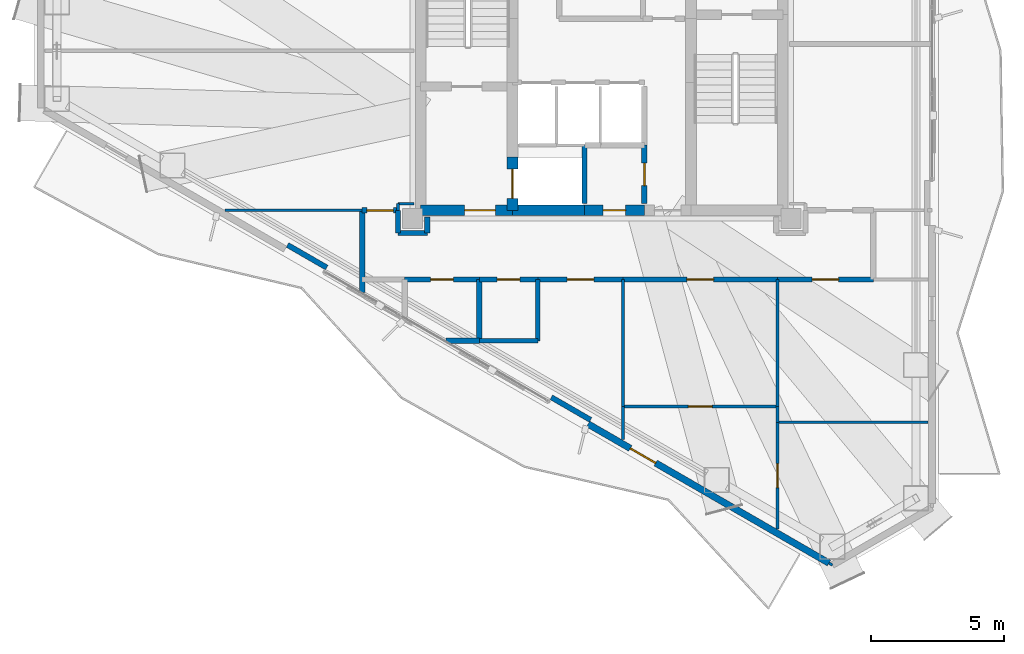
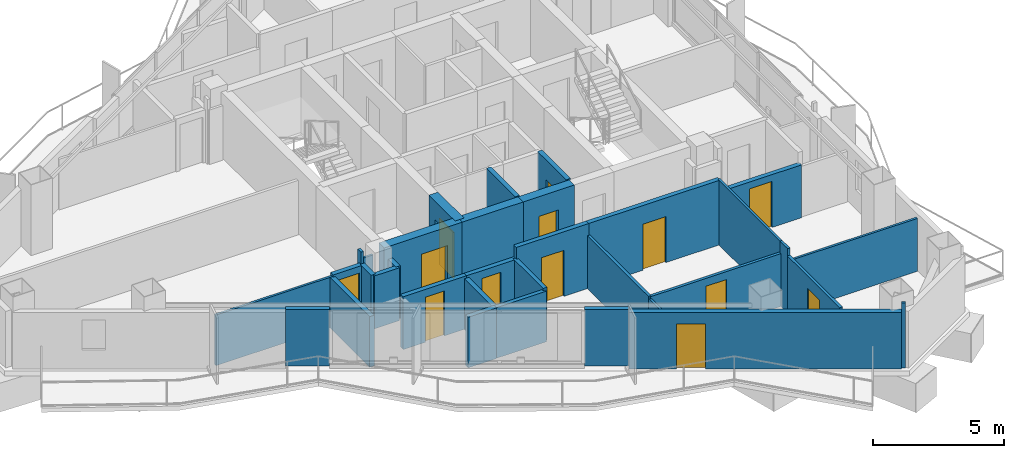
# One storey, part 17 of 22: 34 walls, 13 doors, 13 openings.
"""IFC4 building model written with IfcOpenShell, lengths in metres."""

from ifc_helpers import new_model, si_unit, direction, frame, frame_2d, origin, place, context, subcontext, project, spatial, rectangle, extrude, material, layer, layer_set, type_object, element, fill, save


model = new_model("IFC4")

# Units and contexts
model_context = context("Model", 3, precision=1e-05, world=origin(), true_north=direction((0.0, 1.0)))
body_context = subcontext(model_context, "Body", "Model", "MODEL_VIEW")
ifc_project = project(units=[si_unit("LENGTHUNIT", "METRE"), si_unit("AREAUNIT", "SQUARE_METRE"), si_unit("VOLUMEUNIT", "CUBIC_METRE"), si_unit("PLANEANGLEUNIT", "RADIAN"), si_unit("MASSUNIT", "GRAM", prefix="KILO")], contexts=[model_context])

# Site, building, storey
site_placement = place(None, origin())
site = spatial("IfcSite", under=ifc_project, at=site_placement, CompositionType="ELEMENT")
building_placement = place(site_placement, origin())
building = spatial("IfcBuilding", under=site, at=building_placement, Name="Mersakhor Tower and Convention Hall", CompositionType="ELEMENT")
storey_placement = place(building_placement, frame((0.0, 0.0, 167.39990234375)))
storey = spatial("IfcBuildingStorey", under=building, at=storey_placement, Name="L46", CompositionType="ELEMENT", Elevation=167.39990234375)

# Wall, opening, door
ifc_material_1 = material(Name="Precast concrete C40/50", Category="concrete")
ifc_layer_1 = layer(ifc_material_1, 0.25)
ifc_layer_set_1 = layer_set([ifc_layer_1], Name="Precast concrete C40/50")
wall_type_1 = type_object("IfcWallType", Name="WL-EXT-250", PredefinedType="SOLIDWALL", material=ifc_layer_set_1)
wall_1_placement = place(storey_placement, frame((37.532470703125, 7.501220703125, 0.0), z_axis=(0.0, 0.0, 1.0), x_axis=(-0.866027516296, 0.499996341005, 0.0)))
wall_1 = element("IfcWall", 1, at=wall_1_placement, inside=storey, type_object=wall_type_1, Name="L46 Exterior Facade Wall F3-B1", PredefinedType="SOLIDWALL", context=body_context, shape_type="SweptSolid", body=[
    extrude(rectangle(XDim=10.4423828125, YDim=0.25, at=frame_2d((5.22119140625, 0.0))), origin(), (0.0, 0.0, 1.0), 2.64013671875),
])
opening_1_placement = place(wall_1_placement, frame((7.513916015625, 0.0, 0.0)))
opening_1 = element("IfcOpeningElement", 2, at=opening_1_placement, cuts=wall_1, Name="Opening BD-02", PredefinedType="OPENING", context=body_context, shape_type="SweptSolid", body=[
    extrude(rectangle(XDim=1.10009765625, YDim=2.10009765625, at=frame_2d((0.550048828125, 1.050048828125))), frame((0.0, 0.135009765625, 0.0), z_axis=(0.0, -1.0, 0.0), x_axis=(1.0, 0.0, 0.0)), (0.0, 0.0, 1.0), 0.27001953125),
])
ifc_material_2 = material(Name="Thermally broken dark aluminium and safety glass", Category="aluminium")
door_type_1 = type_object("IfcDoorType", Name="DR-BAL-110x210", OperationType="NOTDEFINED", PredefinedType="DOOR", material=ifc_material_2)
door_1_placement = place(opening_1_placement, origin())
door_1 = element("IfcDoor", 3, at=door_1_placement, inside=storey, type_object=door_type_1, Name="L46 Balcony Terrace Door F3-B1", OperationType="SINGLE_SWING_RIGHT", OverallHeight=2.10009765625, OverallWidth=1.10009765625, PredefinedType="DOOR", context=body_context, shape_type="SweptSolid", body=[
    extrude(rectangle(XDim=1.10009765625, YDim=2.10009765625, at=frame_2d((0.550048828125, 1.050048828125))), frame((0.0, 0.02490234375, 0.0), z_axis=(0.0, -1.0, 0.0), x_axis=(1.0, 0.0, 0.0)), (0.0, 0.0, 1.0), 0.050048828125),
])
fill(opening_1, door_1)

# Walls
ifc_material_3 = material(Name="Precast concrete C40/50", Category="concrete")
ifc_layer_2 = layer(ifc_material_3, 0.199951171875)
ifc_layer_set_2 = layer_set([ifc_layer_2], Name="Precast concrete C40/50")
wall_type_2 = type_object("IfcWallType", Name="WL-PAR-200", PredefinedType="PARAPET", material=ifc_layer_set_2)
for number, where, z_axis, x_axis, name in (
    (4, (28.5791015625, 12.87841796875, 0.0), (0.0, 0.0, 1.0), (-0.866087547558, 0.499892348375, 0.0), "L46 Column Pier Cladding Wall F3-C1"),
    (5, (18.66943359375, 18.599609375, 0.0), (0.0, 0.0, 1.0), (-0.86605165483, 0.499954529098, 0.0), "L46 Column Pier Cladding Wall F3-C2"),
):
    element("IfcWall", number, at=place(storey_placement, frame(where, z_axis=z_axis, x_axis=x_axis)), inside=storey, type_object=wall_type_2, Name=name, PredefinedType="PARAPET", context=body_context, shape_type="SweptSolid", body=[
        extrude(rectangle(XDim=1.699951171875, YDim=0.199951171875, at=frame_2d((0.85009765625, 0.0))), origin(), (0.0, 0.0, 1.0), 2.64013671875),
    ])
ifc_material_4 = material(Name="Moisture-resistant acoustic drywall studwork", Category="other")
ifc_layer_3 = layer(ifc_material_4, 0.175048828125)
ifc_layer_set_3 = layer_set([ifc_layer_3], Name="Moisture-resistant acoustic drywall studwork")
wall_type_3 = type_object("IfcWallType", Name="WL-PLM-175", PredefinedType="PLUMBINGWALL", material=ifc_layer_set_3)
wall_2_placement = place(storey_placement, frame((26.60009765625, 15.85009765625, 0.0), z_axis=(0.0, 0.0, 1.0), x_axis=(-1.0, 0.0, 0.0)))
element("IfcWall", 6, at=wall_2_placement, inside=storey, type_object=wall_type_3, Name="L46 Interior Partition Wall P-052", PredefinedType="PLUMBINGWALL", context=body_context, shape_type="SweptSolid", body=[
    extrude(rectangle(XDim=2.2001953125, YDim=0.175048828125, at=frame_2d((1.10009765625, 0.0))), origin(), (0.0, 0.0, 1.0), 2.364990234375),
])
wall_3_placement = place(storey_placement, frame((26.60009765625, 18.14990234375, 0.0), z_axis=(0.0, 0.0, 1.0), x_axis=(0.0, -1.0, 0.0)))
element("IfcWall", 7, at=wall_3_placement, inside=storey, type_object=wall_type_3, Name="L46 Interior Partition Wall P-054", PredefinedType="PLUMBINGWALL", context=body_context, shape_type="SweptSolid", body=[
    extrude(rectangle(XDim=2.2998046875, YDim=0.175048828125, at=frame_2d((1.14990234375, 0.0))), origin(), (0.0, 0.0, 1.0), 2.468505859375),
])
ifc_material_5 = material(Name="Lightweight gypsum partition", Category="other")
ifc_layer_4 = layer(ifc_material_5, 0.10009765625)
ifc_layer_set_4 = layer_set([ifc_layer_4], Name="Lightweight gypsum partition")
wall_type_4 = type_object("IfcWallType", Name="WL-PRT-100", PredefinedType="PARTITIONING", material=ifc_layer_set_4)
wall_4_placement = place(storey_placement, frame((35.60009765625, 13.3798828125, 0.0), z_axis=(0.0, 0.0, 1.0), x_axis=(0.0, -1.0, 0.0)))
element("IfcWall", 8, at=wall_4_placement, inside=storey, type_object=wall_type_4, Name="L46 Interior Partition Wall P-056", PredefinedType="PARTITIONING", context=body_context, shape_type="SweptSolid", body=[
    extrude(rectangle(XDim=0.58984375, YDim=0.10009765625, at=frame_2d((0.294921875, 0.0))), origin(), (0.0, 0.0, 1.0), 3.02001953125),
])
wall_5_placement = place(storey_placement, frame((29.800048828125, 12.137451171875, 0.0), z_axis=(0.0, 0.0, 1.0), x_axis=(0.0, 1.0, 0.0)))
element("IfcWall", 9, at=wall_5_placement, inside=storey, type_object=wall_type_4, Name="L46 Interior Partition Wall P-058", PredefinedType="PARTITIONING", context=body_context, shape_type="SweptSolid", body=[
    extrude(rectangle(XDim=1.242431640625, YDim=0.10009765625, at=frame_2d((0.62109375, 0.0))), origin(), (0.0, 0.0, 1.0), 2.364990234375),
])
wall_6_placement = place(storey_placement, frame((35.60009765625, 18.14990234375, 0.0), z_axis=(0.0, 0.0, 1.0), x_axis=(0.0, -1.0, 0.0)))
element("IfcWall", 10, at=wall_6_placement, inside=storey, type_object=wall_type_4, Name="L46 Interior Partition Wall P-060", PredefinedType="PARTITIONING", context=body_context, shape_type="SweptSolid", body=[
    extrude(rectangle(XDim=4.77001953125, YDim=0.10009765625, at=frame_2d((2.385009765625, 0.0))), origin(), (0.0, 0.0, 1.0), 3.02001953125),
])
wall_7_placement = place(storey_placement, frame((35.60009765625, 12.7900390625, 0.0), z_axis=(0.0, 0.0, 1.0), x_axis=(1.0, 0.0, 0.0)))
element("IfcWall", 11, at=wall_7_placement, inside=storey, type_object=wall_type_4, Name="L46 Interior Partition Wall P-062", PredefinedType="PARTITIONING", context=body_context, shape_type="SweptSolid", body=[
    extrude(rectangle(XDim=5.65478515625, YDim=0.10009765625, at=frame_2d((2.827392578125, 0.0))), origin(), (0.0, 0.0, 1.0), 2.468505859375),
])
wall_8_placement = place(storey_placement, frame((37.662109375, 7.426025390625, 0.0), z_axis=(0.0, 0.0, 1.0), x_axis=(-0.866131372301, 0.499816412211, 0.0)))
element("IfcWall", 12, at=wall_8_placement, inside=storey, type_object=wall_type_4, Name="L46 Interior Partition Wall P-064", PredefinedType="PARTITIONING", context=body_context, shape_type="SweptSolid", body=[
    extrude(rectangle(XDim=0.14990234375, YDim=0.10009765625, at=frame_2d((0.074951171875, 0.0))), origin(), (0.0, 0.0, 1.0), 3.02001953125),
])
wall_9_placement = place(storey_placement, frame((21.949951171875, 21.0, 0.0), z_axis=(0.0, 0.0, 1.0), x_axis=(-1.0, 0.0, 0.0)))
element("IfcWall", 13, at=wall_9_placement, inside=storey, type_object=wall_type_4, Name="L46 Interior Partition Wall P-070", PredefinedType="PARTITIONING", context=body_context, shape_type="SweptSolid", body=[
    extrude(rectangle(XDim=0.599853515625, YDim=0.10009765625, at=frame_2d((0.2998046875, 0.0))), origin(), (0.0, 0.0, 1.0), 2.545166015625),
])
wall_10_placement = place(storey_placement, frame((20.0, 20.75, 0.0), z_axis=(0.0, 0.0, 1.0), x_axis=(-1.0, 0.0, 0.0)))
element("IfcWall", 14, at=wall_10_placement, inside=storey, type_object=wall_type_4, Name="L46 Interior Partition Wall P-072", PredefinedType="PARTITIONING", context=body_context, shape_type="SweptSolid", body=[
    extrude(rectangle(XDim=5.14453125, YDim=0.10009765625, at=frame_2d((2.572265625, 0.0))), origin(), (0.0, 0.0, 1.0), 2.364990234375),
])

# Wall, opening, door
ifc_material_6 = material(Name="Gypsum board acoustic partition", Category="other")
ifc_layer_5 = layer(ifc_material_6, 0.125)
ifc_layer_set_5 = layer_set([ifc_layer_5], Name="Gypsum board acoustic partition")
wall_type_5 = type_object("IfcWallType", Name="WL-PRT-125", PredefinedType="PARTITIONING", material=ifc_layer_set_5)
wall_11_placement = place(storey_placement, frame((35.60009765625, 12.7900390625, 0.0), z_axis=(0.0, 0.0, 1.0), x_axis=(0.0, -1.0, 0.0)))
wall_11 = element("IfcWall", 15, at=wall_11_placement, inside=storey, type_object=wall_type_5, Name="L46 Interior Partition Wall P-057", PredefinedType="PARTITIONING", context=body_context, shape_type="SweptSolid", body=[
    extrude(rectangle(XDim=4.001220703125, YDim=0.125, at=frame_2d((2.00048828125, 0.0))), origin(), (0.0, 0.0, 1.0), 2.6845703125),
])
opening_2_placement = place(wall_11_placement, frame((1.550537109375, 0.0, 0.0)))
opening_2 = element("IfcOpeningElement", 16, at=opening_2_placement, cuts=wall_11, Name="Opening WD-01", PredefinedType="OPENING", context=body_context, shape_type="SweptSolid", body=[
    extrude(rectangle(XDim=0.89990234375, YDim=2.10009765625, at=frame_2d((0.449951171875, 1.050048828125))), frame((0.0, 0.072509765625, 0.0), z_axis=(0.0, -1.0, 0.0), x_axis=(1.0, 0.0, 0.0)), (0.0, 0.0, 1.0), 0.14501953125),
])
ifc_material_7 = material(Name="Solid-core hardwood leaf in painted steel frame", Category="steel")
door_type_2 = type_object("IfcDoorType", Name="DR-INT-WET-090x210", OperationType="NOTDEFINED", PredefinedType="DOOR", material=ifc_material_7)
door_2_placement = place(opening_2_placement, origin())
door_2 = element("IfcDoor", 17, at=door_2_placement, inside=storey, type_object=door_type_2, Name="L46 L46 South-East Residents Study Room to L46 South-East Residents Study Room Annex Door", OperationType="SINGLE_SWING_LEFT", OverallHeight=2.10009765625, OverallWidth=0.89990234375, PredefinedType="DOOR", context=body_context, shape_type="SweptSolid", body=[
    extrude(rectangle(XDim=0.89990234375, YDim=2.10009765625, at=frame_2d((0.449951171875, 1.050048828125))), frame((0.0, 0.02490234375, 0.0), z_axis=(0.0, -1.0, 0.0), x_axis=(1.0, 0.0, 0.0)), (0.0, 0.0, 1.0), 0.050048828125),
])
fill(opening_2, door_2)

wall_12_placement = place(storey_placement, frame((29.800048828125, 13.3798828125, 0.0), z_axis=(0.0, 0.0, 1.0), x_axis=(1.0, 0.0, 0.0)))
wall_12 = element("IfcWall", 18, at=wall_12_placement, inside=storey, type_object=wall_type_5, Name="L46 Interior Partition Wall P-059", PredefinedType="PARTITIONING", context=body_context, shape_type="SweptSolid", body=[
    extrude(rectangle(XDim=5.800048828125, YDim=0.125, at=frame_2d((2.89990234375, 0.0))), origin(), (0.0, 0.0, 1.0), 2.468505859375),
])
opening_3_placement = place(wall_12_placement, frame((2.449951171875, 0.0, 0.0)))
opening_3 = element("IfcOpeningElement", 19, at=opening_3_placement, cuts=wall_12, Name="Opening WD-01", PredefinedType="OPENING", context=body_context, shape_type="SweptSolid", body=[
    extrude(rectangle(XDim=0.89990234375, YDim=2.10009765625, at=frame_2d((0.449951171875, 1.050048828125))), frame((0.0, 0.072509765625, 0.0), z_axis=(0.0, -1.0, 0.0), x_axis=(1.0, 0.0, 0.0)), (0.0, 0.0, 1.0), 0.14501953125),
])
door_3_placement = place(opening_3_placement, origin())
door_3 = element("IfcDoor", 20, at=door_3_placement, inside=storey, type_object=door_type_2, Name="L46 L46 South-East Residents Study Room to L46 South-East Residents Study Room Annex Door", OperationType="SINGLE_SWING_RIGHT", OverallHeight=2.10009765625, OverallWidth=0.89990234375, PredefinedType="DOOR", context=body_context, shape_type="SweptSolid", body=[
    extrude(rectangle(XDim=0.89990234375, YDim=2.10009765625, at=frame_2d((0.449951171875, 1.050048828125))), frame((0.0, 0.02490234375, 0.0), z_axis=(0.0, -1.0, 0.0), x_axis=(1.0, 0.0, 0.0)), (0.0, 0.0, 1.0), 0.050048828125),
])
fill(opening_3, door_3)

# Walls
wall_13_placement = place(storey_placement, frame((29.800048828125, 13.3798828125, 0.0), z_axis=(0.0, 0.0, 1.0), x_axis=(0.0, 1.0, 0.0)))
element("IfcWall", 21, at=wall_13_placement, inside=storey, type_object=wall_type_5, Name="L46 Interior Partition Wall P-061", PredefinedType="PARTITIONING", context=body_context, shape_type="SweptSolid", body=[
    extrude(rectangle(XDim=4.77001953125, YDim=0.125, at=frame_2d((2.385009765625, 0.0))), origin(), (0.0, 0.0, 1.0), 2.468505859375),
])
wall_14_placement = place(storey_placement, frame((21.35009765625, 21.0, 0.0), z_axis=(0.0, 0.0, 1.0), x_axis=(0.0, -1.0, 0.0)))
element("IfcWall", 22, at=wall_14_placement, inside=storey, type_object=wall_type_5, Name="L46 Interior Partition Wall P-071", PredefinedType="PARTITIONING", context=body_context, shape_type="SweptSolid", body=[
    extrude(rectangle(XDim=0.25, YDim=0.125, at=frame_2d((0.125, 0.0))), origin(), (0.0, 0.0, 1.0), 3.02001953125),
])
ifc_material_8 = material(Name="Acoustic concrete blockwork and gypsum board", Category="masonry")
ifc_layer_6 = layer(ifc_material_8, 0.199951171875)
ifc_layer_set_6 = layer_set([ifc_layer_6], Name="Acoustic concrete blockwork and gypsum board")
wall_type_6 = type_object("IfcWallType", Name="WL-PRT-200", PredefinedType="PARTITIONING", material=ifc_layer_set_6)
wall_15_placement = place(storey_placement, frame((28.35009765625, 23.199951171875, 0.0), z_axis=(0.0, 0.0, 1.0), x_axis=(0.0, -1.0, 0.0)))
element("IfcWall", 23, at=wall_15_placement, inside=storey, type_object=wall_type_6, Name="L46 Interior Partition Wall P-003", PredefinedType="PARTITIONING", context=body_context, shape_type="SweptSolid", body=[
    extrude(rectangle(XDim=2.199951171875, YDim=0.199951171875, at=frame_2d((1.10009765625, 0.0))), origin(), (0.0, 0.0, 1.0), 3.02001953125),
])

# Wall, opening, door
wall_16_placement = place(storey_placement, frame((30.60009765625, 21.0, 0.0), z_axis=(0.0, 0.0, 1.0), x_axis=(0.0, 1.0, 0.0)))
wall_16 = element("IfcWall", 24, at=wall_16_placement, inside=storey, type_object=wall_type_6, Name="L46 Interior Partition Wall P-012", PredefinedType="PARTITIONING", context=body_context, shape_type="SweptSolid", body=[
    extrude(rectangle(XDim=2.199951171875, YDim=0.199951171875, at=frame_2d((1.10009765625, 0.0))), origin(), (0.0, 0.0, 1.0), 3.02001953125),
])
opening_4_placement = place(wall_16_placement, frame((0.675048828125, 0.0, 0.0)))
opening_4 = element("IfcOpeningElement", 25, at=opening_4_placement, cuts=wall_16, Name="Opening SVD-01", PredefinedType="OPENING", context=body_context, shape_type="SweptSolid", body=[
    extrude(rectangle(XDim=0.85009765625, YDim=2.10009765625, at=frame_2d((0.425048828125, 1.050048828125))), frame((0.0, 0.10986328125, 0.0), z_axis=(0.0, -1.0, 0.0), x_axis=(1.0, 0.0, 0.0)), (0.0, 0.0, 1.0), 0.219970703125),
])
ifc_material_9 = material(Name="Fire-rated hardwood leaf and painted steel frame", Category="steel")
door_type_3 = type_object("IfcDoorType", Name="DR-INT-SVC-085x210", OperationType="NOTDEFINED", PredefinedType="DOOR", material=ifc_material_9)
door_4_placement = place(opening_4_placement, origin())
door_4 = element("IfcDoor", 26, at=door_4_placement, inside=storey, type_object=door_type_3, Name="L46 Central Passenger Lift Lobby to Electrical Distribution Room Door", OperationType="SINGLE_SWING_RIGHT", OverallHeight=2.10009765625, OverallWidth=0.85009765625, PredefinedType="DOOR", context=body_context, shape_type="SweptSolid", body=[
    extrude(rectangle(XDim=0.85009765625, YDim=2.10009765625, at=frame_2d((0.425048828125, 1.050048828125))), frame((0.0, 0.02490234375, 0.0), z_axis=(0.0, -1.0, 0.0), x_axis=(1.0, 0.0, 0.0)), (0.0, 0.0, 1.0), 0.050048828125),
])
fill(opening_4, door_4)

# Wall
wall_17_placement = place(storey_placement, frame((22.449951171875, 19.89990234375, 0.0), z_axis=(0.0, 0.0, 1.0), x_axis=(0.0, 1.0, 0.0)))
element("IfcWall", 27, at=wall_17_placement, inside=storey, type_object=wall_type_6, Name="L46 Interior Partition Wall P-031", PredefinedType="PARTITIONING", context=body_context, shape_type="SweptSolid", body=[
    extrude(rectangle(XDim=0.60009765625, YDim=0.199951171875, at=frame_2d((0.300048828125, 0.0))), origin(), (0.0, 0.0, 1.0), 2.468505859375),
])

# Wall, opening, door
wall_18_placement = place(storey_placement, frame((39.199951171875, 18.14990234375, 0.0), z_axis=(0.0, 0.0, 1.0), x_axis=(-1.0, 0.0, 0.0)))
wall_18 = element("IfcWall", 28, at=wall_18_placement, inside=storey, type_object=wall_type_6, Name="L46 Interior Partition Wall P-037", PredefinedType="PARTITIONING", context=body_context, shape_type="SweptSolid", body=[
    extrude(rectangle(XDim=3.599853515625, YDim=0.199951171875, at=frame_2d((1.7998046875, 0.0))), origin(), (0.0, 0.0, 1.0), 2.468505859375),
])
opening_5_placement = place(wall_18_placement, frame((1.300048828125, 0.0, 0.0)))
opening_5 = element("IfcOpeningElement", 29, at=opening_5_placement, cuts=wall_18, Name="Opening FD-01", PredefinedType="OPENING", context=body_context, shape_type="SweptSolid", body=[
    extrude(rectangle(XDim=1.0, YDim=2.14990234375, at=frame_2d((0.5, 1.074951171875))), frame((0.0, 0.10986328125, 0.0), z_axis=(0.0, -1.0, 0.0), x_axis=(1.0, 0.0, 0.0)), (0.0, 0.0, 1.0), 0.219970703125),
])
ifc_material_10 = material(Name="Fire-rated hardwood leaf and painted steel frame", Category="steel")
door_type_4 = type_object("IfcDoorType", Name="DR-INT-FLT-100x215", OperationType="NOTDEFINED", PredefinedType="DOOR", material=ifc_material_10)
door_5_placement = place(opening_5_placement, origin())
door_5 = element("IfcDoor", 30, at=door_5_placement, inside=storey, type_object=door_type_4, Name="L46 Residential South Gallery Corridor to L46 South-East Residents Study Room Annex Annex Door", OperationType="SINGLE_SWING_LEFT", OverallHeight=2.14990234375, OverallWidth=1.0, PredefinedType="DOOR", context=body_context, shape_type="SweptSolid", body=[
    extrude(rectangle(XDim=1.0, YDim=2.14990234375, at=frame_2d((0.5, 1.074951171875))), frame((0.0, 0.02490234375, 0.0), z_axis=(0.0, -1.0, 0.0), x_axis=(1.0, 0.0, 0.0)), (0.0, 0.0, 1.0), 0.050048828125),
])
fill(opening_5, door_5)

wall_19_placement = place(storey_placement, frame((35.60009765625, 18.14990234375, 0.0), z_axis=(0.0, 0.0, 1.0), x_axis=(-1.0, 0.0, 0.0)))
wall_19 = element("IfcWall", 31, at=wall_19_placement, inside=storey, type_object=wall_type_6, Name="L46 Interior Partition Wall P-038", PredefinedType="PARTITIONING", context=body_context, shape_type="SweptSolid", body=[
    extrude(rectangle(XDim=5.800048828125, YDim=0.199951171875, at=frame_2d((2.89990234375, 0.0))), origin(), (0.0, 0.0, 1.0), 3.02001953125),
])
opening_6_placement = place(wall_19_placement, frame((2.39990234375, 0.0, 0.0)))
opening_6 = element("IfcOpeningElement", 32, at=opening_6_placement, cuts=wall_19, Name="Opening FD-01", PredefinedType="OPENING", context=body_context, shape_type="SweptSolid", body=[
    extrude(rectangle(XDim=1.0, YDim=2.14990234375, at=frame_2d((0.5, 1.074951171875))), frame((0.0, 0.10986328125, 0.0), z_axis=(0.0, -1.0, 0.0), x_axis=(1.0, 0.0, 0.0)), (0.0, 0.0, 1.0), 0.219970703125),
])
door_6_placement = place(opening_6_placement, origin())
door_6 = element("IfcDoor", 33, at=door_6_placement, inside=storey, type_object=door_type_4, Name="L46 Residential South Gallery Corridor to L46 South-East Residents Study Room Annex Door", OperationType="SINGLE_SWING_RIGHT", OverallHeight=2.14990234375, OverallWidth=1.0, PredefinedType="DOOR", context=body_context, shape_type="SweptSolid", body=[
    extrude(rectangle(XDim=1.0, YDim=2.14990234375, at=frame_2d((0.5, 1.074951171875))), frame((0.0, 0.02490234375, 0.0), z_axis=(0.0, -1.0, 0.0), x_axis=(1.0, 0.0, 0.0)), (0.0, 0.0, 1.0), 0.050048828125),
])
fill(opening_6, door_6)

wall_20_placement = place(storey_placement, frame((29.800048828125, 18.14990234375, 0.0), z_axis=(0.0, 0.0, 1.0), x_axis=(-1.0, 0.0, 0.0)))
wall_20 = element("IfcWall", 34, at=wall_20_placement, inside=storey, type_object=wall_type_6, Name="L46 Interior Partition Wall P-039", PredefinedType="PARTITIONING", context=body_context, shape_type="SweptSolid", body=[
    extrude(rectangle(XDim=3.199951171875, YDim=0.199951171875, at=frame_2d((1.60009765625, 0.0))), origin(), (0.0, 0.0, 1.0), 3.02001953125),
])
opening_7_placement = place(wall_20_placement, frame((1.10009765625, 0.0, 0.0)))
opening_7 = element("IfcOpeningElement", 35, at=opening_7_placement, cuts=wall_20, Name="Opening FD-01", PredefinedType="OPENING", context=body_context, shape_type="SweptSolid", body=[
    extrude(rectangle(XDim=1.0, YDim=2.14990234375, at=frame_2d((0.5, 1.074951171875))), frame((0.0, 0.10986328125, 0.0), z_axis=(0.0, -1.0, 0.0), x_axis=(1.0, 0.0, 0.0)), (0.0, 0.0, 1.0), 0.219970703125),
])
door_7_placement = place(opening_7_placement, origin())
door_7 = element("IfcDoor", 36, at=door_7_placement, inside=storey, type_object=door_type_4, Name="L46 Residential South Gallery Corridor to L46 Floor Shared Tea Pantry 2-3 Door", OperationType="SINGLE_SWING_LEFT", OverallHeight=2.14990234375, OverallWidth=1.0, PredefinedType="DOOR", context=body_context, shape_type="SweptSolid", body=[
    extrude(rectangle(XDim=1.0, YDim=2.14990234375, at=frame_2d((0.5, 1.074951171875))), frame((0.0, 0.02490234375, 0.0), z_axis=(0.0, -1.0, 0.0), x_axis=(1.0, 0.0, 0.0)), (0.0, 0.0, 1.0), 0.050048828125),
])
fill(opening_7, door_7)

wall_21_placement = place(storey_placement, frame((26.60009765625, 18.14990234375, 0.0), z_axis=(0.0, 0.0, 1.0), x_axis=(-1.0, 0.0, 0.0)))
wall_21 = element("IfcWall", 37, at=wall_21_placement, inside=storey, type_object=wall_type_6, Name="L46 Interior Partition Wall P-040", PredefinedType="PARTITIONING", context=body_context, shape_type="SweptSolid", body=[
    extrude(rectangle(XDim=2.2001953125, YDim=0.199951171875, at=frame_2d((1.10009765625, 0.0))), origin(), (0.0, 0.0, 1.0), 2.468505859375),
])
opening_8_placement = place(wall_21_placement, frame((0.675048828125, 0.0, 0.0)))
opening_8 = element("IfcOpeningElement", 38, at=opening_8_placement, cuts=wall_21, Name="Opening SVD-01", PredefinedType="OPENING", context=body_context, shape_type="SweptSolid", body=[
    extrude(rectangle(XDim=0.85009765625, YDim=2.10009765625, at=frame_2d((0.425048828125, 1.050048828125))), frame((0.0, 0.10986328125, 0.0), z_axis=(0.0, -1.0, 0.0), x_axis=(1.0, 0.0, 0.0)), (0.0, 0.0, 1.0), 0.219970703125),
])
door_8_placement = place(opening_8_placement, origin())
door_8 = element("IfcDoor", 39, at=door_8_placement, inside=storey, type_object=door_type_3, Name="L46 Residential South Gallery Corridor to L46 Floor Shared Restroom WC 2-2 Door", OperationType="SINGLE_SWING_RIGHT", OverallHeight=2.10009765625, OverallWidth=0.85009765625, PredefinedType="DOOR", context=body_context, shape_type="SweptSolid", body=[
    extrude(rectangle(XDim=0.85009765625, YDim=2.10009765625, at=frame_2d((0.425048828125, 1.050048828125))), frame((0.0, 0.02490234375, 0.0), z_axis=(0.0, -1.0, 0.0), x_axis=(1.0, 0.0, 0.0)), (0.0, 0.0, 1.0), 0.050048828125),
])
fill(opening_8, door_8)

wall_22_placement = place(storey_placement, frame((24.39990234375, 18.14990234375, 0.0), z_axis=(0.0, 0.0, 1.0), x_axis=(-1.0, 0.0, 0.0)))
wall_22 = element("IfcWall", 40, at=wall_22_placement, inside=storey, type_object=wall_type_6, Name="L46 Interior Partition Wall P-041", PredefinedType="PARTITIONING", context=body_context, shape_type="SweptSolid", body=[
    extrude(rectangle(XDim=2.7998046875, YDim=0.199951171875, at=frame_2d((1.39990234375, 0.0))), origin(), (0.0, 0.0, 1.0), 2.468505859375),
])
opening_9_placement = place(wall_22_placement, frame((0.97509765625, 0.0, 0.0)))
opening_9 = element("IfcOpeningElement", 41, at=opening_9_placement, cuts=wall_22, Name="Opening SVD-01", PredefinedType="OPENING", context=body_context, shape_type="SweptSolid", body=[
    extrude(rectangle(XDim=0.85009765625, YDim=2.10009765625, at=frame_2d((0.425048828125, 1.050048828125))), frame((0.0, 0.10986328125, 0.0), z_axis=(0.0, -1.0, 0.0), x_axis=(1.0, 0.0, 0.0)), (0.0, 0.0, 1.0), 0.219970703125),
])
door_9_placement = place(opening_9_placement, origin())
door_9 = element("IfcDoor", 42, at=door_9_placement, inside=storey, type_object=door_type_3, Name="L46 Residential South Gallery Corridor to L46 Floor Household Store Room 2-1 Door", OperationType="SINGLE_SWING_RIGHT", OverallHeight=2.10009765625, OverallWidth=0.85009765625, PredefinedType="DOOR", context=body_context, shape_type="SweptSolid", body=[
    extrude(rectangle(XDim=0.85009765625, YDim=2.10009765625, at=frame_2d((0.425048828125, 1.050048828125))), frame((0.0, 0.02490234375, 0.0), z_axis=(0.0, -1.0, 0.0), x_axis=(1.0, 0.0, 0.0)), (0.0, 0.0, 1.0), 0.050048828125),
])
fill(opening_9, door_9)

# Wall
wall_23_placement = place(storey_placement, frame((20.0, 17.66748046875, 0.0), z_axis=(0.0, 0.0, 1.0), x_axis=(0.0, 1.0, 0.0)))
element("IfcWall", 43, at=wall_23_placement, inside=storey, type_object=wall_type_6, Name="L46 Interior Partition Wall P-043", PredefinedType="PARTITIONING", context=body_context, shape_type="SweptSolid", body=[
    extrude(rectangle(XDim=3.08251953125, YDim=0.199951171875, at=frame_2d((1.541259765625, 0.0))), origin(), (0.0, 0.0, 1.0), 2.364990234375),
])

# Wall, opening, door
wall_24_placement = place(storey_placement, frame((20.0, 20.75, 0.0), z_axis=(0.0, 0.0, 1.0), x_axis=(1.0, 0.0, 0.0)))
wall_24 = element("IfcWall", 44, at=wall_24_placement, inside=storey, type_object=wall_type_6, Name="L46 Interior Partition Wall P-044", PredefinedType="PARTITIONING", context=body_context, shape_type="SweptSolid", body=[
    extrude(rectangle(XDim=1.35009765625, YDim=0.199951171875, at=frame_2d((0.675048828125, 0.0))), origin(), (0.0, 0.0, 1.0), 2.468505859375),
])
opening_10_placement = place(wall_24_placement, frame((0.175048828125, 0.0, 0.0)))
opening_10 = element("IfcOpeningElement", 45, at=opening_10_placement, cuts=wall_24, Name="Opening FD-01", PredefinedType="OPENING", context=body_context, shape_type="SweptSolid", body=[
    extrude(rectangle(XDim=1.0, YDim=2.14990234375, at=frame_2d((0.5, 1.074951171875))), frame((0.0, 0.10986328125, 0.0), z_axis=(0.0, -1.0, 0.0), x_axis=(1.0, 0.0, 0.0)), (0.0, 0.0, 1.0), 0.219970703125),
])
door_10_placement = place(opening_10_placement, origin())
door_10 = element("IfcDoor", 46, at=door_10_placement, inside=storey, type_object=door_type_4, Name="L46 Residential South Gallery Corridor to L46 West Wing Shared Dining Room Door", OperationType="SINGLE_SWING_RIGHT", OverallHeight=2.14990234375, OverallWidth=1.0, PredefinedType="DOOR", context=body_context, shape_type="SweptSolid", body=[
    extrude(rectangle(XDim=1.0, YDim=2.14990234375, at=frame_2d((0.5, 1.074951171875))), frame((0.0, 0.02490234375, 0.0), z_axis=(0.0, -1.0, 0.0), x_axis=(1.0, 0.0, 0.0)), (0.0, 0.0, 1.0), 0.050048828125),
])
fill(opening_10, door_10)

# Walls
wall_25_placement = place(storey_placement, frame((21.35009765625, 20.75, 0.0), z_axis=(0.0, 0.0, 1.0), x_axis=(0.0, -1.0, 0.0)))
element("IfcWall", 47, at=wall_25_placement, inside=storey, type_object=wall_type_6, Name="L46 Interior Partition Wall P-045", PredefinedType="PARTITIONING", context=body_context, shape_type="SweptSolid", body=[
    extrude(rectangle(XDim=0.85009765625, YDim=0.199951171875, at=frame_2d((0.425048828125, 0.0))), origin(), (0.0, 0.0, 1.0), 2.468505859375),
])
wall_26_placement = place(storey_placement, frame((21.35009765625, 19.89990234375, 0.0), z_axis=(0.0, 0.0, 1.0), x_axis=(1.0, 0.0, 0.0)))
element("IfcWall", 48, at=wall_26_placement, inside=storey, type_object=wall_type_6, Name="L46 Interior Partition Wall P-046", PredefinedType="PARTITIONING", context=body_context, shape_type="SweptSolid", body=[
    extrude(rectangle(XDim=1.099853515625, YDim=0.199951171875, at=frame_2d((0.5498046875, 0.0))), origin(), (0.0, 0.0, 1.0), 2.468505859375),
])
wall_27_placement = place(storey_placement, frame((24.39990234375, 15.85009765625, 0.0), z_axis=(0.0, 0.0, 1.0), x_axis=(0.0, 1.0, 0.0)))
element("IfcWall", 49, at=wall_27_placement, inside=storey, type_object=wall_type_6, Name="L46 Interior Partition Wall P-053", PredefinedType="PARTITIONING", context=body_context, shape_type="SweptSolid", body=[
    extrude(rectangle(XDim=2.2998046875, YDim=0.199951171875, at=frame_2d((1.14990234375, 0.0))), origin(), (0.0, 0.0, 1.0), 2.364990234375),
])
wall_28_placement = place(storey_placement, frame((24.39990234375, 15.85009765625, 0.0), z_axis=(0.0, 0.0, 1.0), x_axis=(-1.0, 0.0, 0.0)))
element("IfcWall", 50, at=wall_28_placement, inside=storey, type_object=wall_type_6, Name="L46 Interior Partition Wall P-084", PredefinedType="PARTITIONING", context=body_context, shape_type="SweptSolid", body=[
    extrude(rectangle(XDim=1.259033203125, YDim=0.199951171875, at=frame_2d((0.62939453125, 0.0))), origin(), (0.0, 0.0, 1.0), 2.364990234375),
])

# Wall, opening, door
ifc_material_11 = material(Name="Concrete C60/75", Category="concrete")
ifc_layer_7 = layer(ifc_material_11, 0.39990234375)
ifc_layer_set_7 = layer_set([ifc_layer_7], Name="Concrete C60/75")
wall_type_7 = type_object("IfcWallType", Name="WL-SHR-400", PredefinedType="SHEAR", material=ifc_layer_set_7)
wall_29_placement = place(storey_placement, frame((30.60009765625, 20.75, 0.0), z_axis=(0.0, 0.0, 1.0), x_axis=(-1.0, 0.0, 0.0)))
wall_29 = element("IfcWall", 51, at=wall_29_placement, inside=storey, type_object=wall_type_7, Name="L46 Core Wall CW-S2B", PredefinedType="SHEAR", context=body_context, shape_type="SweptSolid", body=[
    extrude(rectangle(XDim=2.25, YDim=0.39990234375, at=frame_2d((1.125, 0.0))), origin(), (0.0, 0.0, 1.0), 3.02001953125),
])
opening_11_placement = place(wall_29_placement, frame((0.699951171875, 0.0, 0.0)))
opening_11 = element("IfcOpeningElement", 52, at=opening_11_placement, cuts=wall_29, Name="Opening SVD-01", PredefinedType="OPENING", context=body_context, shape_type="SweptSolid", body=[
    extrude(rectangle(XDim=0.85009765625, YDim=2.10009765625, at=frame_2d((0.425048828125, 1.050048828125))), frame((0.0, 0.2099609375, 0.0), z_axis=(0.0, -1.0, 0.0), x_axis=(1.0, 0.0, 0.0)), (0.0, 0.0, 1.0), 0.419921875),
])
door_11_placement = place(opening_11_placement, origin())
door_11 = element("IfcDoor", 53, at=door_11_placement, inside=storey, type_object=door_type_3, Name="L46 Residential South Gallery Corridor to Electrical Distribution Room Door", OperationType="SINGLE_SWING_LEFT", OverallHeight=2.10009765625, OverallWidth=0.85009765625, PredefinedType="DOOR", context=body_context, shape_type="SweptSolid", body=[
    extrude(rectangle(XDim=0.85009765625, YDim=2.10009765625, at=frame_2d((0.425048828125, 1.050048828125))), frame((0.0, 0.02490234375, 0.0), z_axis=(0.0, -1.0, 0.0), x_axis=(1.0, 0.0, 0.0)), (0.0, 0.0, 1.0), 0.050048828125),
])
fill(opening_11, door_11)

# Wall
wall_30_placement = place(storey_placement, frame((28.35009765625, 20.75, 0.0), z_axis=(0.0, 0.0, 1.0), x_axis=(-1.0, 0.0, 0.0)))
element("IfcWall", 54, at=wall_30_placement, inside=storey, type_object=wall_type_7, Name="L46 Core Wall CW-S3", PredefinedType="SHEAR", context=body_context, shape_type="SweptSolid", body=[
    extrude(rectangle(XDim=2.7001953125, YDim=0.39990234375, at=frame_2d((1.35009765625, 0.0))), origin(), (0.0, 0.0, 1.0), 3.02001953125),
])

# Wall, opening, door
wall_31_placement = place(storey_placement, frame((25.64990234375, 20.75, 0.0), z_axis=(0.0, 0.0, 1.0), x_axis=(-1.0, 0.0, 0.0)))
wall_31 = element("IfcWall", 55, at=wall_31_placement, inside=storey, type_object=wall_type_7, Name="L46 Core Wall CW-S4", PredefinedType="SHEAR", context=body_context, shape_type="SweptSolid", body=[
    extrude(rectangle(XDim=3.449951171875, YDim=0.39990234375, at=frame_2d((1.72509765625, 0.0))), origin(), (0.0, 0.0, 1.0), 3.02001953125),
])
opening_12_placement = place(wall_31_placement, frame((0.64990234375, 0.0, 0.0)))
opening_12 = element("IfcOpeningElement", 56, at=opening_12_placement, cuts=wall_31, Name="Opening SD-01", PredefinedType="OPENING", context=body_context, shape_type="SweptSolid", body=[
    extrude(rectangle(XDim=1.14990234375, YDim=2.14990234375, at=frame_2d((0.574951171875, 1.074951171875))), frame((0.0, 0.2099609375, 0.0), z_axis=(0.0, -1.0, 0.0), x_axis=(1.0, 0.0, 0.0)), (0.0, 0.0, 1.0), 0.419921875),
])
ifc_material_12 = material(Name="Fire-rated hardwood leaf and painted steel frame", Category="steel")
door_type_5 = type_object("IfcDoorType", Name="DR-INT-STAIR-115x215", OperationType="NOTDEFINED", PredefinedType="DOOR", material=ifc_material_12)
door_12_placement = place(opening_12_placement, origin())
door_12 = element("IfcDoor", 57, at=door_12_placement, inside=storey, type_object=door_type_5, Name="L46 Firefighting Lobby West Fire Door", OperationType="SINGLE_SWING_LEFT", OverallHeight=2.14990234375, OverallWidth=1.14990234375, PredefinedType="DOOR", context=body_context, shape_type="SweptSolid", body=[
    extrude(rectangle(XDim=1.14990234375, YDim=2.14990234375, at=frame_2d((0.574951171875, 1.074951171875))), frame((0.0, 0.02490234375, 0.0), z_axis=(0.0, -1.0, 0.0), x_axis=(1.0, 0.0, 0.0)), (0.0, 0.0, 1.0), 0.050048828125),
])
fill(opening_12, door_12)

wall_32_placement = place(storey_placement, frame((25.64990234375, 20.75, 0.0), z_axis=(0.0, 0.0, 1.0), x_axis=(0.0, 1.0, 0.0)))
wall_32 = element("IfcWall", 58, at=wall_32_placement, inside=storey, type_object=wall_type_7, Name="L46 Core Wall CS-W-FFL", PredefinedType="SHEAR", context=body_context, shape_type="SweptSolid", body=[
    extrude(rectangle(XDim=2.0, YDim=0.39990234375, at=frame_2d((1.0, 0.0))), origin(), (0.0, 0.0, 1.0), 3.02001953125),
])
opening_13_placement = place(wall_32_placement, frame((0.449951171875, 0.0, 0.0)))
opening_13 = element("IfcOpeningElement", 59, at=opening_13_placement, cuts=wall_32, Name="Opening LD-FFL1", PredefinedType="OPENING", context=body_context, shape_type="SweptSolid", body=[
    extrude(rectangle(XDim=1.10009765625, YDim=2.14990234375, at=frame_2d((0.550048828125, 1.074951171875))), frame((0.0, 0.2099609375, 0.0), z_axis=(0.0, -1.0, 0.0), x_axis=(1.0, 0.0, 0.0)), (0.0, 0.0, 1.0), 0.419921875),
])
ifc_material_13 = material(Name="Fire-rated brushed stainless steel sliding landing door", Category="steel")
door_type_6 = type_object("IfcDoorType", Name="DR-LIFT-SLD-110x215", OperationType="NOTDEFINED", PredefinedType="DOOR", material=ifc_material_13)
door_13_placement = place(opening_13_placement, origin())
door_13 = element("IfcDoor", 60, at=door_13_placement, inside=storey, type_object=door_type_6, Name="L46 Firefighting Lift Landing Door LD-FFL1", OperationType="SLIDING_TO_LEFT", OverallHeight=2.14990234375, OverallWidth=1.10009765625, PredefinedType="DOOR", context=body_context, shape_type="SweptSolid", body=[
    extrude(rectangle(XDim=1.10009765625, YDim=2.14990234375, at=frame_2d((0.550048828125, 1.074951171875))), frame((0.0, 0.02490234375, 0.0), z_axis=(0.0, -1.0, 0.0), x_axis=(1.0, 0.0, 0.0)), (0.0, 0.0, 1.0), 0.050048828125),
])
fill(opening_13, door_13)

save(model, "model.ifc")
